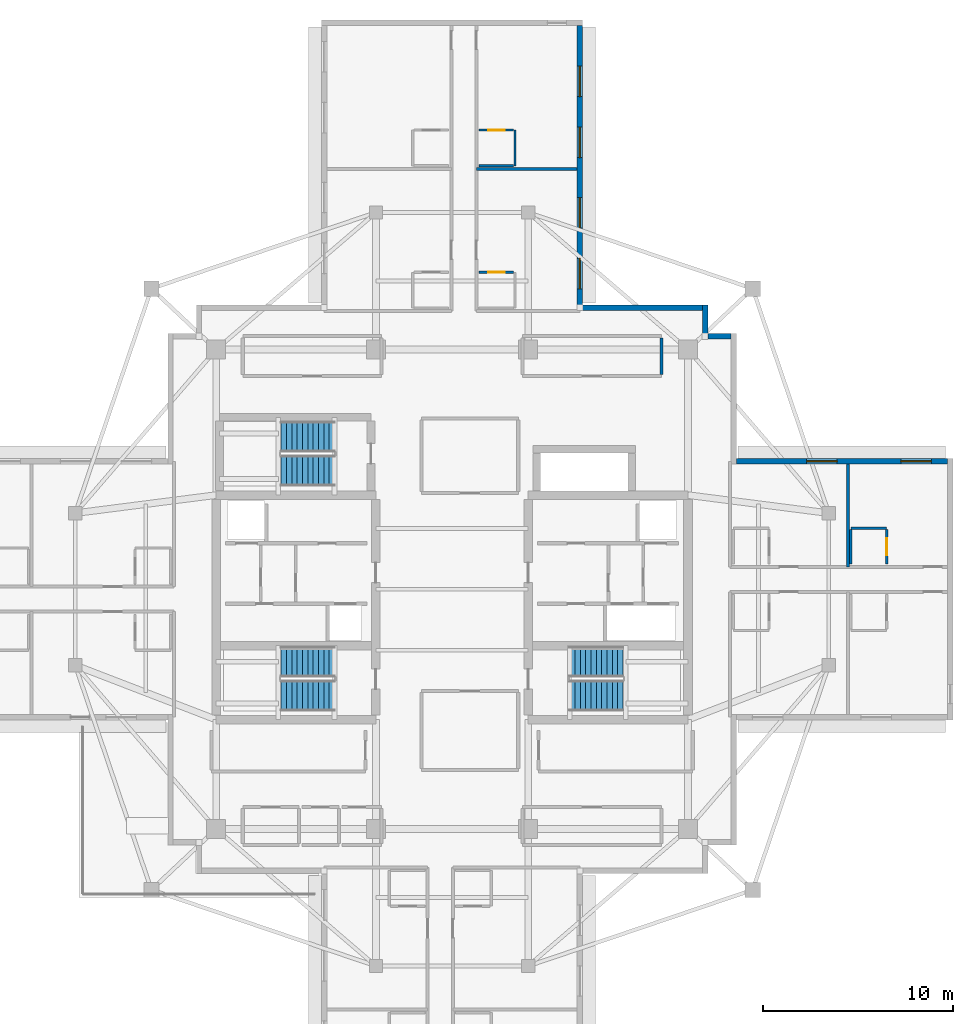
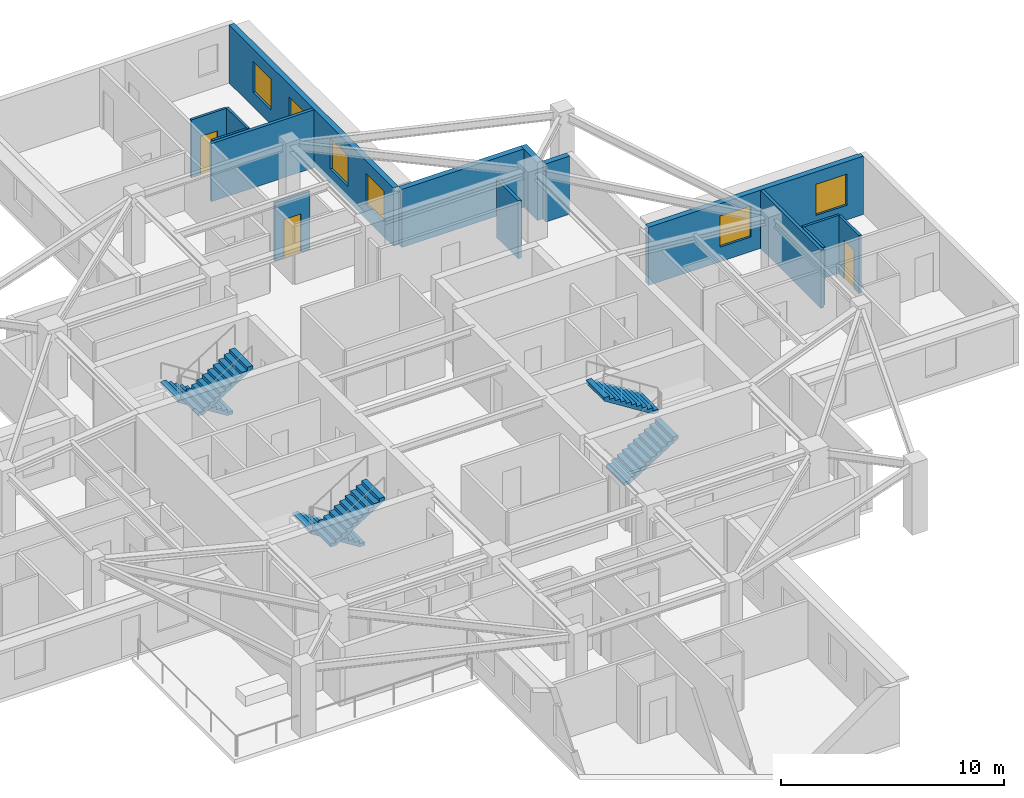
# One storey, part 8 of 12: 15 walls, 6 stair flights, 6 windows, 3 doors, 9 openings, 3 elements without a shape of their own.
"""IFC4 building model written with IfcOpenShell, lengths in metres."""

from ifc_helpers import new_model, si_unit, direction, frame, frame_2d, origin, place, context, subcontext, project, spatial, polyline, rectangle, outline, extrude, material, layer, layer_set, type_object, element, fill, aggregate, save


model = new_model("IFC4")

# Units and contexts
model_context = context("Model", 3, precision=1e-05, world=origin(), true_north=direction((0.0, 1.0)))
body_context = subcontext(model_context, "Body", "Model", "MODEL_VIEW")
ifc_project = project(units=[si_unit("LENGTHUNIT", "METRE"), si_unit("AREAUNIT", "SQUARE_METRE"), si_unit("VOLUMEUNIT", "CUBIC_METRE"), si_unit("PLANEANGLEUNIT", "RADIAN"), si_unit("MASSUNIT", "GRAM", prefix="KILO")], contexts=[model_context])

# Site, building, storey
site_placement = place(None, origin())
site = spatial("IfcSite", under=ifc_project, at=site_placement, CompositionType="ELEMENT")
building_placement = place(site_placement, origin())
building = spatial("IfcBuilding", under=site, at=building_placement, Name="Qingluan Cross Belvedere", CompositionType="ELEMENT")
storey_placement = place(building_placement, frame((0.0, 0.0, 265.5)))
storey = spatial("IfcBuildingStorey", under=building, at=storey_placement, Name="L66", CompositionType="ELEMENT", Elevation=265.5)

# Walls
ifc_material_1 = material(Name="Gypsum plasterboard on steel stud acoustic partition", Category="steel")
ifc_layer_1 = layer(ifc_material_1, 0.159912109375, Name="CorridorPartition_160")
ifc_layer_set_1 = layer_set([ifc_layer_1], Name="Gypsum plasterboard on steel stud acoustic partition")
wall_type_1 = type_object("IfcWallType", Name="CorridorPartition_160", PredefinedType="PARTITIONING", material=ifc_layer_set_1)
wall_1_placement = place(storey_placement, frame((11.0, 11.284912109375, 0.0), z_axis=(0.0, 0.0, 1.0), x_axis=(0.0, 1.0, 0.0)))
element("IfcWall", 1, at=wall_1_placement, inside=storey, type_object=wall_type_1, Name="Partition L66:q_ne:E", PredefinedType="PARTITIONING", context=body_context, shape_type="SweptSolid", body=[
    extrude(rectangle(XDim=1.93017578125, YDim=0.159912109375, at=frame_2d((0.965087890625, 0.0))), origin(), (0.0, 0.0, 1.0), 3.169921875),
])
wall_2_placement = place(storey_placement, frame((20.800048828125, 1.179931640625, 0.0), z_axis=(0.0, 0.0, 1.0), x_axis=(0.0, 1.0, 0.0)))
element("IfcWall", 2, at=wall_2_placement, inside=storey, type_object=wall_type_1, Name="Partition L66:E:d0_0", PredefinedType="PARTITIONING", context=body_context, shape_type="SweptSolid", body=[
    extrude(rectangle(XDim=5.39208984375, YDim=0.159912109375, at=frame_2d((2.696044921875, 0.0))), origin(), (0.0, 0.0, 1.0), 3.169921875),
])
wall_3_placement = place(storey_placement, frame((1.280029296875, 22.096923828125, 0.0), z_axis=(0.0, 0.0, 1.0), x_axis=(1.0, 0.0, 0.0)))
element("IfcWall", 3, at=wall_3_placement, inside=storey, type_object=wall_type_1, Name="Partition L66:N:d0_0", PredefinedType="PARTITIONING", context=body_context, shape_type="SweptSolid", body=[
    extrude(rectangle(XDim=5.2919921875, YDim=0.159912109375, at=frame_2d((2.64599609375, 0.0))), origin(), (0.0, 0.0, 1.0), 3.169921875),
])

# Wall, opening, door
ifc_material_2 = material(Name="Moisture-resistant gypsum board lining")
ifc_layer_2 = layer(ifc_material_2, 0.1201171875, Name="EnsuiteWetPartition_120")
ifc_layer_set_2 = layer_set([ifc_layer_2], Name="Moisture-resistant gypsum board lining")
wall_type_2 = type_object("IfcWallType", Name="EnsuiteWetPartition_120", PredefinedType="PARTITIONING", material=ifc_layer_set_2)
wall_4_placement = place(storey_placement, frame((22.840087890625, 1.320068359375, 0.0), z_axis=(0.0, 0.0, 1.0), x_axis=(0.0, 1.0, 0.0)))
wall_4 = element("IfcWall", 4, at=wall_4_placement, inside=storey, type_object=wall_type_2, Name="Partition L66:E:bs0_1", PredefinedType="PARTITIONING", context=body_context, shape_type="SweptSolid", body=[
    extrude(rectangle(XDim=1.81982421875, YDim=0.1201171875, at=frame_2d((0.909912109375, 0.0))), origin(), (0.0, 0.0, 1.0), 3.169921875),
])
opening_1_placement = place(wall_4_placement, frame((0.469970703125, 0.0, 0.0)))
opening_1 = element("IfcOpeningElement", 5, at=opening_1_placement, cuts=wall_4, Name="Opening BD-09", PredefinedType="OPENING", context=body_context, shape_type="SweptSolid", body=[
    extrude(rectangle(XDim=0.8798828125, YDim=2.10009765625, at=frame_2d((0.43994140625, 1.050048828125))), frame((0.0, 0.070068359375, 0.0), z_axis=(0.0, -1.0, 0.0), x_axis=(1.0, 0.0, 0.0)), (0.0, 0.0, 1.0), 0.14013671875),
])
ifc_material_3 = material(Name="Moisture-sealed timber en-suite door", Category="wood")
door_type = type_object("IfcDoorType", Name="BathroomDoor_880", OperationType="NOTDEFINED", PredefinedType="DOOR", material=ifc_material_3)
door_1_placement = place(opening_1_placement, origin())
door_1 = element("IfcDoor", 6, at=door_1_placement, inside=storey, type_object=door_type, Name="Bathroom door 6602", OperationType="SINGLE_SWING_LEFT", OverallHeight=2.10009765625, OverallWidth=0.8798828125, PredefinedType="DOOR", context=body_context, shape_type="SweptSolid", body=[
    extrude(rectangle(XDim=0.8798828125, YDim=2.10009765625, at=frame_2d((0.43994140625, 1.050048828125))), frame((0.0, 0.02490234375, 0.0), z_axis=(0.0, -1.0, 0.0), x_axis=(1.0, 0.0, 0.0)), (0.0, 0.0, 1.0), 0.050048828125),
])
fill(opening_1, door_1)

# Walls
wall_5_placement = place(storey_placement, frame((20.9599609375, 1.320068359375, 0.0), z_axis=(0.0, 0.0, 1.0), x_axis=(0.0, 1.0, 0.0)))
element("IfcWall", 7, at=wall_5_placement, inside=storey, type_object=wall_type_2, Name="Partition L66:E:bw0_1", PredefinedType="PARTITIONING", context=body_context, shape_type="SweptSolid", body=[
    extrude(rectangle(XDim=1.81982421875, YDim=0.1201171875, at=frame_2d((0.909912109375, 0.0))), origin(), (0.0, 0.0, 1.0), 3.169921875),
])
wall_6_placement = place(storey_placement, frame((20.9599609375, 3.205078125, 0.0), z_axis=(0.0, 0.0, 1.0), x_axis=(1.0, 0.0, 0.0)))
element("IfcWall", 8, at=wall_6_placement, inside=storey, type_object=wall_type_2, Name="Partition L66:E:bn0_1", PredefinedType="PARTITIONING", context=body_context, shape_type="SweptSolid", body=[
    extrude(rectangle(XDim=1.880126953125, YDim=0.1201171875, at=frame_2d((0.93994140625, 0.0))), origin(), (0.0, 0.0, 1.0), 3.169921875),
])

# Wall, opening, door
wall_7_placement = place(storey_placement, frame((1.419921875, 16.659912109375, 0.0), z_axis=(0.0, 0.0, 1.0), x_axis=(1.0, 0.0, 0.0)))
wall_7 = element("IfcWall", 9, at=wall_7_placement, inside=storey, type_object=wall_type_2, Name="Partition L66:N:bs0_0", PredefinedType="PARTITIONING", context=body_context, shape_type="SweptSolid", body=[
    extrude(rectangle(XDim=1.820068359375, YDim=0.1201171875, at=frame_2d((0.91015625, 0.0))), origin(), (0.0, 0.0, 1.0), 3.169921875),
])
opening_2_placement = place(wall_7_placement, frame((0.469970703125, 0.0, 0.0)))
opening_2 = element("IfcOpeningElement", 10, at=opening_2_placement, cuts=wall_7, Name="Opening BD-09", PredefinedType="OPENING", context=body_context, shape_type="SweptSolid", body=[
    extrude(rectangle(XDim=0.8798828125, YDim=2.10009765625, at=frame_2d((0.43994140625, 1.050048828125))), frame((0.0, 0.070068359375, 0.0), z_axis=(0.0, -1.0, 0.0), x_axis=(1.0, 0.0, 0.0)), (0.0, 0.0, 1.0), 0.14013671875),
])
door_2_placement = place(opening_2_placement, origin())
door_2 = element("IfcDoor", 11, at=door_2_placement, inside=storey, type_object=door_type, Name="Bathroom door 6609", OperationType="SINGLE_SWING_LEFT", OverallHeight=2.10009765625, OverallWidth=0.8798828125, PredefinedType="DOOR", context=body_context, shape_type="SweptSolid", body=[
    extrude(rectangle(XDim=0.8798828125, YDim=2.10009765625, at=frame_2d((0.43994140625, 1.050048828125))), frame((0.0, 0.02490234375, 0.0), z_axis=(0.0, -1.0, 0.0), x_axis=(1.0, 0.0, 0.0)), (0.0, 0.0, 1.0), 0.050048828125),
])
fill(opening_2, door_2)

wall_8_placement = place(storey_placement, frame((1.419921875, 24.136962890625, 0.0), z_axis=(0.0, 0.0, 1.0), x_axis=(1.0, 0.0, 0.0)))
wall_8 = element("IfcWall", 12, at=wall_8_placement, inside=storey, type_object=wall_type_2, Name="Partition L66:N:bs0_1", PredefinedType="PARTITIONING", context=body_context, shape_type="SweptSolid", body=[
    extrude(rectangle(XDim=1.820068359375, YDim=0.1201171875, at=frame_2d((0.91015625, 0.0))), origin(), (0.0, 0.0, 1.0), 3.169921875),
])
opening_3_placement = place(wall_8_placement, frame((0.469970703125, 0.0, 0.0)))
opening_3 = element("IfcOpeningElement", 13, at=opening_3_placement, cuts=wall_8, Name="Opening BD-09", PredefinedType="OPENING", context=body_context, shape_type="SweptSolid", body=[
    extrude(rectangle(XDim=0.8798828125, YDim=2.10009765625, at=frame_2d((0.43994140625, 1.050048828125))), frame((0.0, 0.070068359375, 0.0), z_axis=(0.0, -1.0, 0.0), x_axis=(1.0, 0.0, 0.0)), (0.0, 0.0, 1.0), 0.14013671875),
])
door_3_placement = place(opening_3_placement, origin())
door_3 = element("IfcDoor", 14, at=door_3_placement, inside=storey, type_object=door_type, Name="Bathroom door 6610", OperationType="SINGLE_SWING_LEFT", OverallHeight=2.10009765625, OverallWidth=0.8798828125, PredefinedType="DOOR", context=body_context, shape_type="SweptSolid", body=[
    extrude(rectangle(XDim=0.8798828125, YDim=2.10009765625, at=frame_2d((0.43994140625, 1.050048828125))), frame((0.0, 0.02490234375, 0.0), z_axis=(0.0, -1.0, 0.0), x_axis=(1.0, 0.0, 0.0)), (0.0, 0.0, 1.0), 0.050048828125),
])
fill(opening_3, door_3)

# Walls
wall_9_placement = place(storey_placement, frame((1.419921875, 22.257080078125, 0.0), z_axis=(0.0, 0.0, 1.0), x_axis=(1.0, 0.0, 0.0)))
element("IfcWall", 15, at=wall_9_placement, inside=storey, type_object=wall_type_2, Name="Partition L66:N:bw0_1", PredefinedType="PARTITIONING", context=body_context, shape_type="SweptSolid", body=[
    extrude(rectangle(XDim=1.820068359375, YDim=0.1201171875, at=frame_2d((0.91015625, 0.0))), origin(), (0.0, 0.0, 1.0), 3.169921875),
])
wall_10_placement = place(storey_placement, frame((3.304931640625, 22.257080078125, 0.0), z_axis=(0.0, 0.0, 1.0), x_axis=(0.0, 1.0, 0.0)))
element("IfcWall", 16, at=wall_10_placement, inside=storey, type_object=wall_type_2, Name="Partition L66:N:bn0_1", PredefinedType="PARTITIONING", context=body_context, shape_type="SweptSolid", body=[
    extrude(rectangle(XDim=1.8798828125, YDim=0.1201171875, at=frame_2d((0.93994140625, 0.0))), origin(), (0.0, 0.0, 1.0), 3.169921875),
])

# Wall, openings, windows
ifc_material_4 = material(Name="Precast concrete C45", Category="concrete")
ifc_layer_3 = layer(ifc_material_4, 0.280029296875, Name="PrecastFacadeWall_280")
ifc_layer_set_3 = layer_set([ifc_layer_3], Name="Precast concrete C45")
wall_type_3 = type_object("IfcWallType", Name="PrecastFacadeWall_280", PredefinedType="STANDARD", material=ifc_layer_set_3)
wall_11_placement = place(storey_placement, frame((26.0400390625, 6.719970703125, 0.0), z_axis=(0.0, 0.0, 1.0), x_axis=(-1.0, 0.0, 0.0)))
wall_11 = element("IfcWall", 17, at=wall_11_placement, inside=storey, type_object=wall_type_3, Name="Facade wall L66-EB", PredefinedType="STANDARD", context=body_context, shape_type="SweptSolid", body=[
    extrude(rectangle(XDim=11.10009765625, YDim=0.280029296875, at=frame_2d((5.550048828125, 0.0))), origin(), (0.0, 0.0, 1.0), 3.179931640625),
])
opening_4_placement = place(wall_11_placement, frame((0.85009765625, 0.0, 0.800048828125)))
opening_4 = element("IfcOpeningElement", 18, at=opening_4_placement, cuts=wall_11, Name="Opening W-04", PredefinedType="OPENING", context=body_context, shape_type="SweptSolid", body=[
    extrude(rectangle(XDim=1.60009765625, YDim=1.699951171875, at=frame_2d((0.800048828125, 0.85009765625))), frame((0.0, 0.14990234375, 0.0), z_axis=(0.0, -1.0, 0.0), x_axis=(1.0, 0.0, 0.0)), (0.0, 0.0, 1.0), 0.300048828125),
])
opening_5_placement = place(wall_11_placement, frame((5.800048828125, 0.0, 0.800048828125)))
opening_5 = element("IfcOpeningElement", 19, at=opening_5_placement, cuts=wall_11, Name="Opening W-04", PredefinedType="OPENING", context=body_context, shape_type="SweptSolid", body=[
    extrude(rectangle(XDim=1.60009765625, YDim=1.699951171875, at=frame_2d((0.800048828125, 0.85009765625))), frame((0.0, 0.14990234375, 0.0), z_axis=(0.0, -1.0, 0.0), x_axis=(1.0, 0.0, 0.0)), (0.0, 0.0, 1.0), 0.300048828125),
])
ifc_material_5 = material(Name="Thermally broken triple Low-E glass in aluminium frame", Category="aluminium")
window_type = type_object("IfcWindowType", Name="SuiteCornerWin_1600x1700", PartitioningType="SINGLE_PANEL", PredefinedType="WINDOW", material=ifc_material_5)
window_1_placement = place(opening_4_placement, origin())
window_1 = element("IfcWindow", 20, at=window_1_placement, inside=storey, type_object=window_type, Name="Ribbon window L66-EB-1", OverallHeight=1.699951171875, OverallWidth=1.60009765625, PartitioningType="SINGLE_PANEL", PredefinedType="WINDOW", context=body_context, shape_type="SweptSolid", body=[
    extrude(rectangle(XDim=1.60009765625, YDim=1.699951171875, at=frame_2d((0.800048828125, 0.85009765625))), frame((0.0, 0.030029296875, 0.0), z_axis=(0.0, -1.0, 0.0), x_axis=(1.0, 0.0, 0.0)), (0.0, 0.0, 1.0), 0.06005859375),
])
fill(opening_4, window_1)
window_2_placement = place(opening_5_placement, origin())
window_2 = element("IfcWindow", 21, at=window_2_placement, inside=storey, type_object=window_type, Name="Ribbon window L66-EB-2", OverallHeight=1.699951171875, OverallWidth=1.60009765625, PartitioningType="SINGLE_PANEL", PredefinedType="WINDOW", context=body_context, shape_type="SweptSolid", body=[
    extrude(rectangle(XDim=1.60009765625, YDim=1.699951171875, at=frame_2d((0.800048828125, 0.85009765625))), frame((0.0, 0.030029296875, 0.0), z_axis=(0.0, -1.0, 0.0), x_axis=(1.0, 0.0, 0.0)), (0.0, 0.0, 1.0), 0.06005859375),
])
fill(opening_5, window_2)

wall_12_placement = place(storey_placement, frame((6.719970703125, 14.93994140625, 0.0), z_axis=(0.0, 0.0, 1.0), x_axis=(0.0, 1.0, 0.0)))
wall_12 = element("IfcWall", 22, at=wall_12_placement, inside=storey, type_object=wall_type_3, Name="Facade wall L66-NA", PredefinedType="STANDARD", context=body_context, shape_type="SweptSolid", body=[
    extrude(rectangle(XDim=14.699951171875, YDim=0.280029296875, at=frame_2d((7.35009765625, 0.0))), origin(), (0.0, 0.0, 1.0), 3.179931640625),
])
opening_6_placement = place(wall_12_placement, frame((0.85009765625, 0.0, 0.800048828125)))
opening_6 = element("IfcOpeningElement", 23, at=opening_6_placement, cuts=wall_12, Name="Opening W-04", PredefinedType="OPENING", context=body_context, shape_type="SweptSolid", body=[
    extrude(rectangle(XDim=1.60009765625, YDim=1.699951171875, at=frame_2d((0.800048828125, 0.85009765625))), frame((0.0, 0.14990234375, 0.0), z_axis=(0.0, -1.0, 0.0), x_axis=(1.0, 0.0, 0.0)), (0.0, 0.0, 1.0), 0.300048828125),
])
opening_7_placement = place(wall_12_placement, frame((4.050048828125, 0.0, 0.800048828125)))
opening_7 = element("IfcOpeningElement", 24, at=opening_7_placement, cuts=wall_12, Name="Opening W-04", PredefinedType="OPENING", context=body_context, shape_type="SweptSolid", body=[
    extrude(rectangle(XDim=1.60009765625, YDim=1.699951171875, at=frame_2d((0.800048828125, 0.85009765625))), frame((0.0, 0.14990234375, 0.0), z_axis=(0.0, -1.0, 0.0), x_axis=(1.0, 0.0, 0.0)), (0.0, 0.0, 1.0), 0.300048828125),
])
opening_8_placement = place(wall_12_placement, frame((7.75, 0.0, 0.800048828125)))
opening_8 = element("IfcOpeningElement", 25, at=opening_8_placement, cuts=wall_12, Name="Opening W-04", PredefinedType="OPENING", context=body_context, shape_type="SweptSolid", body=[
    extrude(rectangle(XDim=1.60009765625, YDim=1.699951171875, at=frame_2d((0.800048828125, 0.85009765625))), frame((0.0, 0.14990234375, 0.0), z_axis=(0.0, -1.0, 0.0), x_axis=(1.0, 0.0, 0.0)), (0.0, 0.0, 1.0), 0.300048828125),
])
opening_9_placement = place(wall_12_placement, frame((10.949951171875, 0.0, 0.800048828125)))
opening_9 = element("IfcOpeningElement", 26, at=opening_9_placement, cuts=wall_12, Name="Opening W-04", PredefinedType="OPENING", context=body_context, shape_type="SweptSolid", body=[
    extrude(rectangle(XDim=1.60009765625, YDim=1.699951171875, at=frame_2d((0.800048828125, 0.85009765625))), frame((0.0, 0.14990234375, 0.0), z_axis=(0.0, -1.0, 0.0), x_axis=(1.0, 0.0, 0.0)), (0.0, 0.0, 1.0), 0.300048828125),
])
window_3_placement = place(opening_6_placement, origin())
window_3 = element("IfcWindow", 27, at=window_3_placement, inside=storey, type_object=window_type, Name="Ribbon window L66-NA-1", OverallHeight=1.699951171875, OverallWidth=1.60009765625, PartitioningType="SINGLE_PANEL", PredefinedType="WINDOW", context=body_context, shape_type="SweptSolid", body=[
    extrude(rectangle(XDim=1.60009765625, YDim=1.699951171875, at=frame_2d((0.800048828125, 0.85009765625))), frame((0.0, 0.030029296875, 0.0), z_axis=(0.0, -1.0, 0.0), x_axis=(1.0, 0.0, 0.0)), (0.0, 0.0, 1.0), 0.06005859375),
])
fill(opening_6, window_3)
window_4_placement = place(opening_7_placement, origin())
window_4 = element("IfcWindow", 28, at=window_4_placement, inside=storey, type_object=window_type, Name="Ribbon window L66-NA-2", OverallHeight=1.699951171875, OverallWidth=1.60009765625, PartitioningType="SINGLE_PANEL", PredefinedType="WINDOW", context=body_context, shape_type="SweptSolid", body=[
    extrude(rectangle(XDim=1.60009765625, YDim=1.699951171875, at=frame_2d((0.800048828125, 0.85009765625))), frame((0.0, 0.030029296875, 0.0), z_axis=(0.0, -1.0, 0.0), x_axis=(1.0, 0.0, 0.0)), (0.0, 0.0, 1.0), 0.06005859375),
])
fill(opening_7, window_4)
window_5_placement = place(opening_8_placement, origin())
window_5 = element("IfcWindow", 29, at=window_5_placement, inside=storey, type_object=window_type, Name="Ribbon window L66-NA-3", OverallHeight=1.699951171875, OverallWidth=1.60009765625, PartitioningType="SINGLE_PANEL", PredefinedType="WINDOW", context=body_context, shape_type="SweptSolid", body=[
    extrude(rectangle(XDim=1.60009765625, YDim=1.699951171875, at=frame_2d((0.800048828125, 0.85009765625))), frame((0.0, 0.030029296875, 0.0), z_axis=(0.0, -1.0, 0.0), x_axis=(1.0, 0.0, 0.0)), (0.0, 0.0, 1.0), 0.06005859375),
])
fill(opening_8, window_5)
window_6_placement = place(opening_9_placement, origin())
window_6 = element("IfcWindow", 30, at=window_6_placement, inside=storey, type_object=window_type, Name="Ribbon window L66-NA-4", OverallHeight=1.699951171875, OverallWidth=1.60009765625, PartitioningType="SINGLE_PANEL", PredefinedType="WINDOW", context=body_context, shape_type="SweptSolid", body=[
    extrude(rectangle(XDim=1.60009765625, YDim=1.699951171875, at=frame_2d((0.800048828125, 0.85009765625))), frame((0.0, 0.030029296875, 0.0), z_axis=(0.0, -1.0, 0.0), x_axis=(1.0, 0.0, 0.0)), (0.0, 0.0, 1.0), 0.06005859375),
])
fill(opening_9, window_6)

# Walls
wall_13_placement = place(storey_placement, frame((14.659912109375, 13.300048828125, 0.0), z_axis=(0.0, 0.0, 1.0), x_axis=(-1.0, 0.0, 0.0)))
element("IfcWall", 31, at=wall_13_placement, inside=storey, type_object=wall_type_3, Name="Corner wall L66-NE2", PredefinedType="STANDARD", context=body_context, shape_type="SweptSolid", body=[
    extrude(rectangle(XDim=1.219970703125, YDim=0.280029296875, at=frame_2d((0.60986328125, 0.0))), origin(), (0.0, 0.0, 1.0), 3.179931640625),
])
wall_14_placement = place(storey_placement, frame((13.300048828125, 13.43994140625, 0.0), z_axis=(0.0, 0.0, 1.0), x_axis=(0.0, 1.0, 0.0)))
element("IfcWall", 32, at=wall_14_placement, inside=storey, type_object=wall_type_3, Name="Corner wall L66-NE3", PredefinedType="STANDARD", context=body_context, shape_type="SweptSolid", body=[
    extrude(rectangle(XDim=1.5, YDim=0.280029296875, at=frame_2d((0.75, 0.0))), origin(), (0.0, 0.0, 1.0), 3.179931640625),
])
wall_15_placement = place(storey_placement, frame((13.159912109375, 14.800048828125, 0.0), z_axis=(0.0, 0.0, 1.0), x_axis=(-1.0, 0.0, 0.0)))
element("IfcWall", 33, at=wall_15_placement, inside=storey, type_object=wall_type_3, Name="Corner wall L66-NE4", PredefinedType="STANDARD", context=body_context, shape_type="SweptSolid", body=[
    extrude(rectangle(XDim=6.2998046875, YDim=0.280029296875, at=frame_2d((3.14990234375, 0.0))), origin(), (0.0, 0.0, 1.0), 3.179931640625),
])

# Stair, stair flights
ifc_material_6 = material(Name="Concrete C40", Category="concrete")
stair_type = type_object("IfcStairType", Name="CoreDoglegStair_1620", PredefinedType="HALF_TURN_STAIR", material=ifc_material_6)
stair_1_placement = place(storey_placement, origin())
stair_1 = element("IfcStair", 34, at=stair_1_placement, inside=storey, type_object=stair_type, Name="L66 ST1", PredefinedType="HALF_TURN_STAIR")
ifc_material_7 = material(Name="Concrete C40", Category="concrete")
ifc_layer_4 = layer(ifc_material_7, 0.179931640625, Name="StairFlight_RC180")
ifc_layer_set_4 = layer_set([ifc_layer_4], Name="Concrete C40")
stair_flight_type = type_object("IfcStairFlightType", Name="StairFlight_RC180", PredefinedType="STRAIGHT", material=ifc_layer_set_4)
stair_flight_1_placement = place(storey_placement, frame((-6.179931640625, -3.81005859375, 0.0), z_axis=(0.0, 0.0, 1.0), x_axis=(-1.0, 0.0, 0.0)))
stair_flight_1 = element("IfcStairFlight", 35, at=stair_flight_1_placement, type_object=stair_flight_type, Name="ST1 flight 1", NumberOfRisers=11, NumberOfTreads=10, PredefinedType="STRAIGHT", RiserHeight=0.177272727, TreadLength=0.28, context=body_context, shape_type="SweptSolid", body=[
    extrude(outline(polyline([(0.0, 0.0), (0.0, 0.17724609375), (0.280029296875, 0.17724609375), (0.280029296875, 0.3544921875), (0.56005859375, 0.3544921875), (0.56005859375, 0.53173828125), (0.840087890625, 0.53173828125), (0.840087890625, 0.708984375), (1.1201171875, 0.708984375), (1.1201171875, 0.886474609375), (1.39990234375, 0.886474609375), (1.39990234375, 1.063720703125), (1.679931640625, 1.063720703125), (1.679931640625, 1.240966796875), (1.9599609375, 1.240966796875), (1.9599609375, 1.418212890625), (2.239990234375, 1.418212890625), (2.239990234375, 1.595458984375), (2.52001953125, 1.595458984375), (2.52001953125, 1.772705078125), (2.800048828125, 1.772705078125), (2.800048828125, 1.949951171875), (2.800048828125, 1.59521484375), (0.2802734375, 0.0), (0.0, 0.0)])), frame((0.0, 0.81005859375, 0.0), z_axis=(0.0, -1.0, 0.0), x_axis=(1.0, 0.0, 0.0)), (0.0, 0.0, 1.0), 1.6201171875),
])
stair_flight_2_placement = place(storey_placement, frame((-8.97998046875, -5.590087890625, 1.949951171875), z_axis=(0.0, 0.0, 1.0), x_axis=(1.0, 0.0, 0.0)))
stair_flight_2 = element("IfcStairFlight", 36, at=stair_flight_2_placement, type_object=stair_flight_type, Name="ST1 flight 2", NumberOfRisers=11, NumberOfTreads=10, PredefinedType="STRAIGHT", RiserHeight=0.177272727, TreadLength=0.28, context=body_context, shape_type="SweptSolid", body=[
    extrude(outline(polyline([(0.0, 0.0), (0.0, 0.17724609375), (0.280029296875, 0.17724609375), (0.280029296875, 0.3544921875), (0.56005859375, 0.3544921875), (0.56005859375, 0.53173828125), (0.840087890625, 0.53173828125), (0.840087890625, 0.708984375), (1.1201171875, 0.708984375), (1.1201171875, 0.886474609375), (1.39990234375, 0.886474609375), (1.39990234375, 1.063720703125), (1.679931640625, 1.063720703125), (1.679931640625, 1.240966796875), (1.9599609375, 1.240966796875), (1.9599609375, 1.418212890625), (2.239990234375, 1.418212890625), (2.239990234375, 1.595458984375), (2.52001953125, 1.595458984375), (2.52001953125, 1.772705078125), (2.800048828125, 1.772705078125), (2.800048828125, 1.949951171875), (2.800048828125, 1.59521484375), (0.2802734375, 0.0), (0.0, 0.0)])), frame((0.0, 0.81005859375, 0.0), z_axis=(0.0, -1.0, 0.0), x_axis=(1.0, 0.0, 0.0)), (0.0, 0.0, 1.0), 1.6201171875),
])
aggregate(stair_1, [stair_flight_1, stair_flight_2])

stair_2_placement = place(storey_placement, origin())
stair_2 = element("IfcStair", 37, at=stair_2_placement, inside=storey, type_object=stair_type, Name="L66 ST2", PredefinedType="HALF_TURN_STAIR")
stair_flight_3_placement = place(storey_placement, frame((6.179931640625, -5.590087890625, 0.0), z_axis=(0.0, 0.0, 1.0), x_axis=(1.0, 0.0, 0.0)))
stair_flight_3 = element("IfcStairFlight", 38, at=stair_flight_3_placement, type_object=stair_flight_type, Name="ST2 flight 1", NumberOfRisers=11, NumberOfTreads=10, PredefinedType="STRAIGHT", RiserHeight=0.177272727, TreadLength=0.28, context=body_context, shape_type="SweptSolid", body=[
    extrude(outline(polyline([(0.0, 0.0), (0.0, 0.17724609375), (0.280029296875, 0.17724609375), (0.280029296875, 0.3544921875), (0.56005859375, 0.3544921875), (0.56005859375, 0.53173828125), (0.840087890625, 0.53173828125), (0.840087890625, 0.708984375), (1.1201171875, 0.708984375), (1.1201171875, 0.886474609375), (1.39990234375, 0.886474609375), (1.39990234375, 1.063720703125), (1.679931640625, 1.063720703125), (1.679931640625, 1.240966796875), (1.9599609375, 1.240966796875), (1.9599609375, 1.418212890625), (2.239990234375, 1.418212890625), (2.239990234375, 1.595458984375), (2.52001953125, 1.595458984375), (2.52001953125, 1.772705078125), (2.800048828125, 1.772705078125), (2.800048828125, 1.949951171875), (2.800048828125, 1.59521484375), (0.2802734375, 0.0), (0.0, 0.0)])), frame((0.0, 0.81005859375, 0.0), z_axis=(0.0, -1.0, 0.0), x_axis=(1.0, 0.0, 0.0)), (0.0, 0.0, 1.0), 1.6201171875),
])
stair_flight_4_placement = place(storey_placement, frame((8.97998046875, -3.81005859375, 1.949951171875), z_axis=(0.0, 0.0, 1.0), x_axis=(-1.0, 0.0, 0.0)))
stair_flight_4 = element("IfcStairFlight", 39, at=stair_flight_4_placement, type_object=stair_flight_type, Name="ST2 flight 2", NumberOfRisers=11, NumberOfTreads=10, PredefinedType="STRAIGHT", RiserHeight=0.177272727, TreadLength=0.28, context=body_context, shape_type="SweptSolid", body=[
    extrude(outline(polyline([(0.0, 0.0), (0.0, 0.17724609375), (0.280029296875, 0.17724609375), (0.280029296875, 0.3544921875), (0.56005859375, 0.3544921875), (0.56005859375, 0.53173828125), (0.840087890625, 0.53173828125), (0.840087890625, 0.708984375), (1.1201171875, 0.708984375), (1.1201171875, 0.886474609375), (1.39990234375, 0.886474609375), (1.39990234375, 1.063720703125), (1.679931640625, 1.063720703125), (1.679931640625, 1.240966796875), (1.9599609375, 1.240966796875), (1.9599609375, 1.418212890625), (2.239990234375, 1.418212890625), (2.239990234375, 1.595458984375), (2.52001953125, 1.595458984375), (2.52001953125, 1.772705078125), (2.800048828125, 1.772705078125), (2.800048828125, 1.949951171875), (2.800048828125, 1.59521484375), (0.2802734375, 0.0), (0.0, 0.0)])), frame((0.0, 0.81005859375, 0.0), z_axis=(0.0, -1.0, 0.0), x_axis=(1.0, 0.0, 0.0)), (0.0, 0.0, 1.0), 1.6201171875),
])
aggregate(stair_2, [stair_flight_3, stair_flight_4])

stair_3_placement = place(storey_placement, origin())
stair_3 = element("IfcStair", 40, at=stair_3_placement, inside=storey, type_object=stair_type, Name="L66 ST3", PredefinedType="HALF_TURN_STAIR")
stair_flight_5_placement = place(storey_placement, frame((-6.179931640625, 8.010009765625, 0.0), z_axis=(0.0, 0.0, 1.0), x_axis=(-1.0, 0.0, 0.0)))
stair_flight_5 = element("IfcStairFlight", 41, at=stair_flight_5_placement, type_object=stair_flight_type, Name="ST3 flight 1", NumberOfRisers=11, NumberOfTreads=10, PredefinedType="STRAIGHT", RiserHeight=0.177272727, TreadLength=0.28, context=body_context, shape_type="SweptSolid", body=[
    extrude(outline(polyline([(0.0, 0.0), (0.0, 0.17724609375), (0.280029296875, 0.17724609375), (0.280029296875, 0.3544921875), (0.56005859375, 0.3544921875), (0.56005859375, 0.53173828125), (0.840087890625, 0.53173828125), (0.840087890625, 0.708984375), (1.1201171875, 0.708984375), (1.1201171875, 0.886474609375), (1.39990234375, 0.886474609375), (1.39990234375, 1.063720703125), (1.679931640625, 1.063720703125), (1.679931640625, 1.240966796875), (1.9599609375, 1.240966796875), (1.9599609375, 1.418212890625), (2.239990234375, 1.418212890625), (2.239990234375, 1.595458984375), (2.52001953125, 1.595458984375), (2.52001953125, 1.772705078125), (2.800048828125, 1.772705078125), (2.800048828125, 1.949951171875), (2.800048828125, 1.59521484375), (0.2802734375, 0.0), (0.0, 0.0)])), frame((0.0, 0.81005859375, 0.0), z_axis=(0.0, -1.0, 0.0), x_axis=(1.0, 0.0, 0.0)), (0.0, 0.0, 1.0), 1.6201171875),
])
stair_flight_6_placement = place(storey_placement, frame((-8.97998046875, 6.22998046875, 1.949951171875), z_axis=(0.0, 0.0, 1.0), x_axis=(1.0, 0.0, 0.0)))
stair_flight_6 = element("IfcStairFlight", 42, at=stair_flight_6_placement, type_object=stair_flight_type, Name="ST3 flight 2", NumberOfRisers=11, NumberOfTreads=10, PredefinedType="STRAIGHT", RiserHeight=0.177272727, TreadLength=0.28, context=body_context, shape_type="SweptSolid", body=[
    extrude(outline(polyline([(0.0, 0.0), (0.0, 0.17724609375), (0.280029296875, 0.17724609375), (0.280029296875, 0.3544921875), (0.56005859375, 0.3544921875), (0.56005859375, 0.53173828125), (0.840087890625, 0.53173828125), (0.840087890625, 0.708984375), (1.1201171875, 0.708984375), (1.1201171875, 0.886474609375), (1.39990234375, 0.886474609375), (1.39990234375, 1.063720703125), (1.679931640625, 1.063720703125), (1.679931640625, 1.240966796875), (1.9599609375, 1.240966796875), (1.9599609375, 1.418212890625), (2.239990234375, 1.418212890625), (2.239990234375, 1.595458984375), (2.52001953125, 1.595458984375), (2.52001953125, 1.772705078125), (2.800048828125, 1.772705078125), (2.800048828125, 1.949951171875), (2.800048828125, 1.59521484375), (0.2802734375, 0.0), (0.0, 0.0)])), frame((0.0, 0.81005859375, 0.0), z_axis=(0.0, -1.0, 0.0), x_axis=(1.0, 0.0, 0.0)), (0.0, 0.0, 1.0), 1.6201171875),
])
aggregate(stair_3, [stair_flight_5, stair_flight_6])

save(model, "model.ifc")
